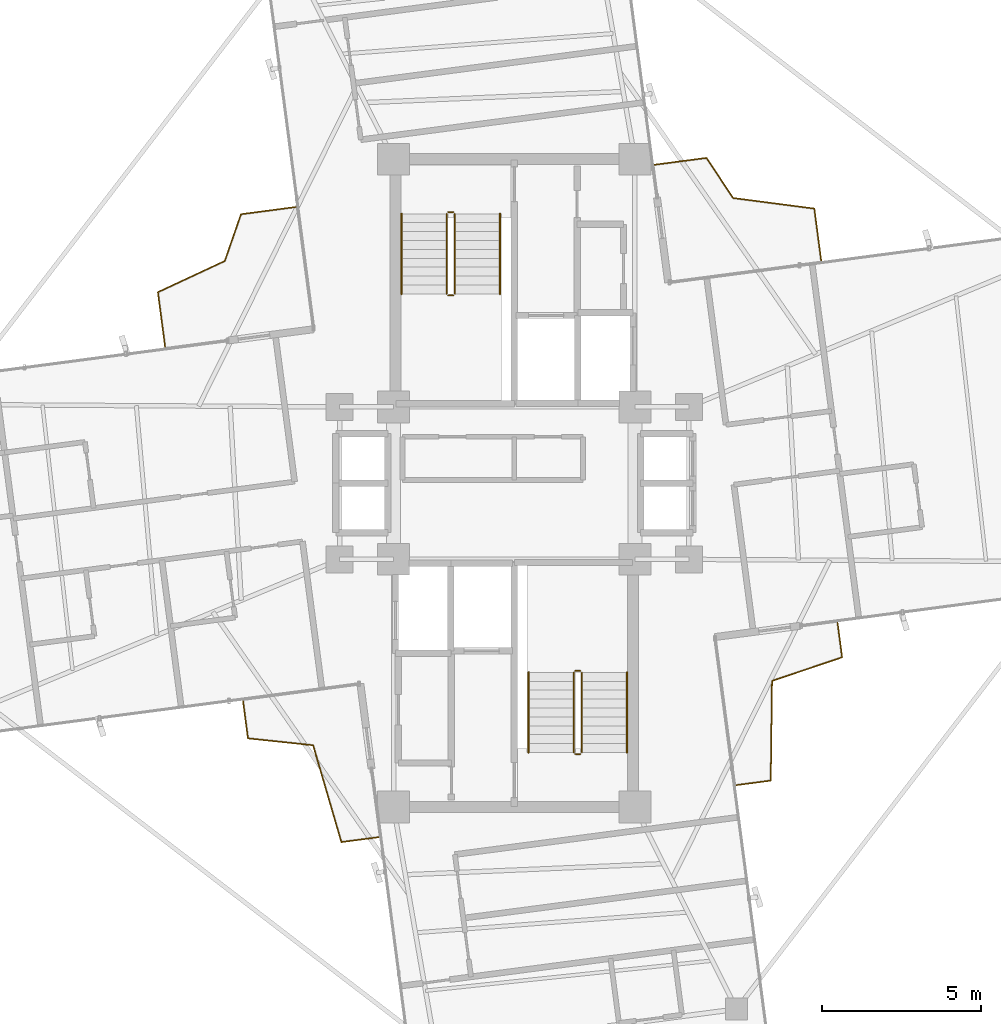
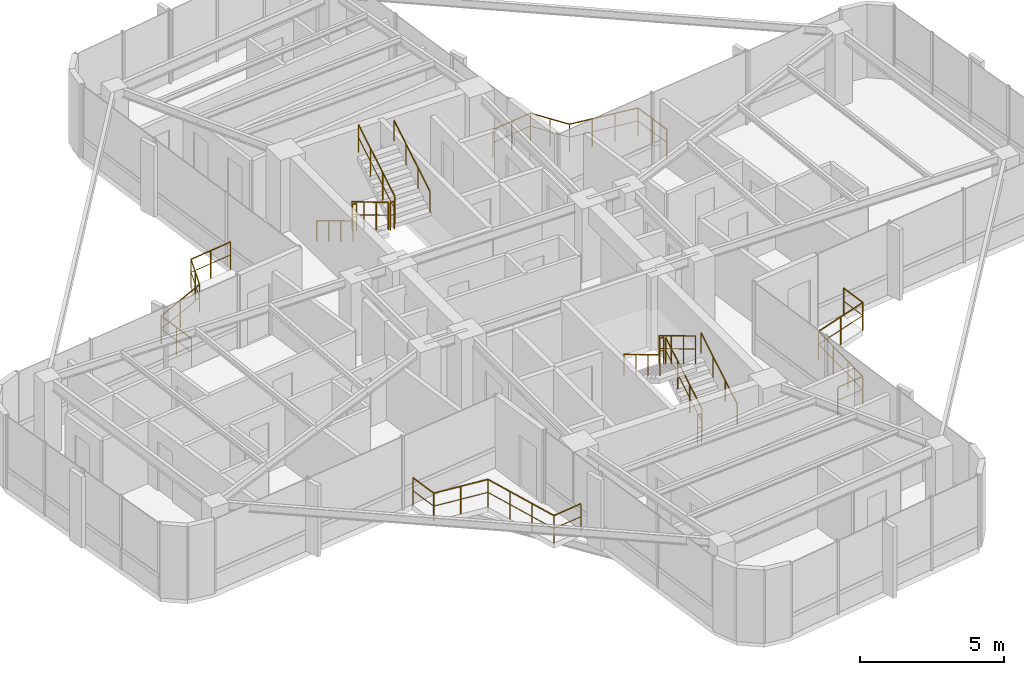
# One storey, part 22 of 22: 16 railings.
"""IFC4 building model written with IfcOpenShell, lengths in metres."""

from ifc_helpers import new_model, si_unit, direction, frame, origin, origin_2d, place, context, subcontext, project, spatial, circle, extrude, material, type_object, element, save


model = new_model("IFC4")

# Units and contexts
model_context = context("Model", 3, precision=1e-05, world=origin(), true_north=direction((0.0, 1.0)))
body_context = subcontext(model_context, "Body", "Model", "MODEL_VIEW")
ifc_project = project(units=[si_unit("LENGTHUNIT", "METRE"), si_unit("AREAUNIT", "SQUARE_METRE"), si_unit("VOLUMEUNIT", "CUBIC_METRE"), si_unit("PLANEANGLEUNIT", "RADIAN"), si_unit("MASSUNIT", "GRAM", prefix="KILO")], contexts=[model_context])

# Site, building, storey
site_placement = place(None, origin())
site = spatial("IfcSite", under=ifc_project, at=site_placement, CompositionType="ELEMENT")
building_placement = place(site_placement, origin())
building = spatial("IfcBuilding", under=site, at=building_placement, Name="Sahyath Konkavel Grand Hotel", CompositionType="ELEMENT")
storey_placement = place(building_placement, frame((0.0, 0.0, 234.449951171875)))
storey = spatial("IfcBuildingStorey", under=building, at=storey_placement, Name="L65", CompositionType="ELEMENT", Elevation=234.449951171875)

# Railings
ifc_material_1 = material(Name="Anodised Bronze Aluminium", Category="aluminium")
railing_type_1 = type_object("IfcRailingType", Name="RLG-BALC-1200", PredefinedType="GUARDRAIL", material=ifc_material_1)
railing_1_placement = place(storey_placement, frame((9.66259765625, 7.01025390625, 0.0)))
element("IfcRailing", 1, at=railing_1_placement, inside=storey, type_object=railing_type_1, Name="L65 Winter-Garden Guard NE", PredefinedType="GUARDRAIL", context=body_context, shape_type="SweptSolid", body=[
    extrude(circle(Radius=0.02392578125, at=origin_2d()), frame((-0.000244140625, 0.001953125, 1.17578125), z_axis=(-0.130466004798, 0.99145278334, 0.0), x_axis=(-0.99145278334, -0.130466004798, 0.0)), (0.0, 0.0, 1.0), 1.64453125),
    extrude(circle(Radius=0.01416015625, at=origin_2d()), frame((-0.000244140625, 0.001953125, 0.6240234375), z_axis=(-0.130466004798, 0.99145278334, 0.0), x_axis=(-0.99145278334, -0.130466004798, 0.0)), (0.0, 0.0, 1.0), 1.64453125),
    extrude(circle(Radius=0.02392578125, at=origin_2d()), frame((-0.217041015625, 1.634765625, 1.17578125), z_axis=(-0.991622558929, 0.129169271203, 0.0), x_axis=(-0.129169271203, -0.991622558929, 0.0)), (0.0, 0.0, 1.0), 2.575927734375),
    extrude(circle(Radius=0.01416015625, at=origin_2d()), frame((-0.217041015625, 1.634765625, 0.6240234375), z_axis=(-0.991622558929, 0.129169271203, 0.0), x_axis=(-0.129169271203, -0.991622558929, 0.0)), (0.0, 0.0, 1.0), 2.575927734375),
    extrude(circle(Radius=0.02392578125, at=origin_2d()), frame((-2.774658203125, 1.969482421875, 1.17578125), z_axis=(-0.552316927935, 0.833634219017, 0.0), x_axis=(-0.833634219017, -0.552316927935, 0.0)), (0.0, 0.0, 1.0), 1.510498046875),
    extrude(circle(Radius=0.01416015625, at=origin_2d()), frame((-2.774658203125, 1.969482421875, 0.6240234375), z_axis=(-0.552316927935, 0.833634219017, 0.0), x_axis=(-0.833634219017, -0.552316927935, 0.0)), (0.0, 0.0, 1.0), 1.510498046875),
    extrude(circle(Radius=0.02392578125, at=origin_2d()), frame((-3.61181640625, 3.22998046875, 1.17578125), z_axis=(-0.99145278334, -0.130466004798, 0.0), x_axis=(0.130466004798, -0.99145278334, 0.0)), (0.0, 0.0, 1.0), 1.64453125),
    extrude(circle(Radius=0.01416015625, at=origin_2d()), frame((-3.61181640625, 3.22998046875, 0.6240234375), z_axis=(-0.99145278334, -0.130466004798, 0.0), x_axis=(0.130466004798, -0.99145278334, 0.0)), (0.0, 0.0, 1.0), 1.64453125),
    extrude(circle(Radius=0.02099609375, at=origin_2d()), origin(), (0.0, 0.0, 1.0), 1.15185546875),
    extrude(circle(Radius=0.02099609375, at=origin_2d()), frame((-0.107421875, 0.8173828125, 0.0)), (0.0, 0.0, 1.0), 1.15185546875),
    extrude(circle(Radius=0.02099609375, at=origin_2d()), frame((-0.215087890625, 1.634521484375, 0.0)), (0.0, 0.0, 1.0), 1.15185546875),
    extrude(circle(Radius=0.02099609375, at=origin_2d()), frame((-1.06787109375, 1.74560546875, 0.0)), (0.0, 0.0, 1.0), 1.15185546875),
    extrude(circle(Radius=0.02099609375, at=origin_2d()), frame((-1.920654296875, 1.856689453125, 0.0)), (0.0, 0.0, 1.0), 1.15185546875),
    extrude(circle(Radius=0.02099609375, at=origin_2d()), frame((-2.7734375, 1.9677734375, 0.0)), (0.0, 0.0, 1.0), 1.15185546875),
    extrude(circle(Radius=0.02099609375, at=origin_2d()), frame((-3.191650390625, 2.59912109375, 0.0)), (0.0, 0.0, 1.0), 1.15185546875),
    extrude(circle(Radius=0.02099609375, at=origin_2d()), frame((-3.60986328125, 3.230224609375, 0.0)), (0.0, 0.0, 1.0), 1.15185546875),
    extrude(circle(Radius=0.02099609375, at=origin_2d()), frame((-4.42724609375, 3.12255859375, 0.0)), (0.0, 0.0, 1.0), 1.15185546875),
    extrude(circle(Radius=0.02099609375, at=origin_2d()), frame((-5.244384765625, 3.01513671875, 0.0)), (0.0, 0.0, 1.0), 1.15185546875),
])
railing_2_placement = place(storey_placement, frame((-6.8828125, 8.694091796875, 0.0)))
element("IfcRailing", 2, at=railing_2_placement, inside=storey, type_object=railing_type_1, Name="L65 Winter-Garden Guard NW", PredefinedType="GUARDRAIL", context=body_context, shape_type="SweptSolid", body=[
    extrude(circle(Radius=0.02392578125, at=origin_2d()), frame((-0.001953125, -0.000244140625, 1.17578125), z_axis=(-0.991431787245, -0.130625461686, 0.0), x_axis=(0.130625461686, -0.991431787245, 0.0)), (0.0, 0.0, 1.0), 1.732421875),
    extrude(circle(Radius=0.01416015625, at=origin_2d()), frame((-0.001953125, -0.000244140625, 0.6240234375), z_axis=(-0.991431787245, -0.130625461686, 0.0), x_axis=(0.130625461686, -0.991431787245, 0.0)), (0.0, 0.0, 1.0), 1.732421875),
    extrude(circle(Radius=0.02392578125, at=origin_2d()), frame((-1.72216796875, -0.228759765625, 1.17578125), z_axis=(-0.327573036044, -0.944825860176, 0.0), x_axis=(0.944825860176, -0.327573036044, 0.0)), (0.0, 0.0, 1.0), 1.55517578125),
    extrude(circle(Radius=0.01416015625, at=origin_2d()), frame((-1.72216796875, -0.228759765625, 0.6240234375), z_axis=(-0.327573036044, -0.944825860176, 0.0), x_axis=(0.944825860176, -0.327573036044, 0.0)), (0.0, 0.0, 1.0), 1.55517578125),
    extrude(circle(Radius=0.02392578125, at=origin_2d()), frame((-2.23388671875, -1.70068359375, 1.17578125), z_axis=(-0.906303905193, -0.422626586282, 0.0), x_axis=(0.422626586282, -0.906303905193, 0.0)), (0.0, 0.0, 1.0), 2.3193359375),
    extrude(circle(Radius=0.01416015625, at=origin_2d()), frame((-2.23388671875, -1.70068359375, 0.6240234375), z_axis=(-0.906303905193, -0.422626586282, 0.0), x_axis=(0.422626586282, -0.906303905193, 0.0)), (0.0, 0.0, 1.0), 2.3193359375),
    extrude(circle(Radius=0.02392578125, at=origin_2d()), frame((-4.337646484375, -2.683837890625, 1.17578125), z_axis=(0.130487248409, -0.991449987646, 0.0), x_axis=(0.991449987646, 0.130487248409, 0.0)), (0.0, 0.0, 1.0), 1.732177734375),
    extrude(circle(Radius=0.01416015625, at=origin_2d()), frame((-4.337646484375, -2.683837890625, 0.6240234375), z_axis=(0.130487248409, -0.991449987646, 0.0), x_axis=(0.991449987646, 0.130487248409, 0.0)), (0.0, 0.0, 1.0), 1.732177734375),
    extrude(circle(Radius=0.02099609375, at=origin_2d()), origin(), (0.0, 0.0, 1.0), 1.15185546875),
    extrude(circle(Radius=0.02099609375, at=origin_2d()), frame((-0.86083984375, -0.11328125, 0.0)), (0.0, 0.0, 1.0), 1.15185546875),
    extrude(circle(Radius=0.02099609375, at=origin_2d()), frame((-1.721435546875, -0.226806640625, 0.0)), (0.0, 0.0, 1.0), 1.15185546875),
    extrude(circle(Radius=0.02099609375, at=origin_2d()), frame((-1.976806640625, -0.96337890625, 0.0)), (0.0, 0.0, 1.0), 1.15185546875),
    extrude(circle(Radius=0.02099609375, at=origin_2d()), frame((-2.232177734375, -1.699951171875, 0.0)), (0.0, 0.0, 1.0), 1.15185546875),
    extrude(circle(Radius=0.02099609375, at=origin_2d()), frame((-3.28515625, -2.19091796875, 0.0)), (0.0, 0.0, 1.0), 1.15185546875),
    extrude(circle(Radius=0.02099609375, at=origin_2d()), frame((-4.337890625, -2.681884765625, 0.0)), (0.0, 0.0, 1.0), 1.15185546875),
    extrude(circle(Radius=0.02099609375, at=origin_2d()), frame((-4.224609375, -3.54248046875, 0.0)), (0.0, 0.0, 1.0), 1.15185546875),
    extrude(circle(Radius=0.02099609375, at=origin_2d()), frame((-4.111328125, -4.4033203125, 0.0)), (0.0, 0.0, 1.0), 1.15185546875),
])
railing_3_placement = place(storey_placement, frame((-8.540283203125, -6.862548828125, 0.0)))
element("IfcRailing", 3, at=railing_3_placement, inside=storey, type_object=railing_type_1, Name="L65 Winter-Garden Guard SW", PredefinedType="GUARDRAIL", context=body_context, shape_type="SweptSolid", body=[
    extrude(circle(Radius=0.02392578125, at=origin_2d()), frame((0.000244140625, -0.001953125, 1.17578125), z_axis=(0.130379801455, -0.991464123089, 0.0), x_axis=(0.991464123089, 0.130379801455, 0.0)), (0.0, 0.0, 1.0), 1.179443359375),
    extrude(circle(Radius=0.01416015625, at=origin_2d()), frame((0.000244140625, -0.001953125, 0.6240234375), z_axis=(0.130379801455, -0.991464123089, 0.0), x_axis=(0.991464123089, 0.130379801455, 0.0)), (0.0, 0.0, 1.0), 1.179443359375),
    extrude(circle(Radius=0.02392578125, at=origin_2d()), frame((0.15625, -1.173583984375, 1.17578125), z_axis=(0.994445675819, -0.105251118026, 0.0), x_axis=(0.105251118026, 0.994445675819, 0.0)), (0.0, 0.0, 1.0), 2.060546875),
    extrude(circle(Radius=0.01416015625, at=origin_2d()), frame((0.15625, -1.173583984375, 0.6240234375), z_axis=(0.994445675819, -0.105251118026, 0.0), x_axis=(0.105251118026, 0.994445675819, 0.0)), (0.0, 0.0, 1.0), 2.060546875),
    extrude(circle(Radius=0.02392578125, at=origin_2d()), frame((2.207763671875, -1.392578125, 1.17578125), z_axis=(0.279955723344, -0.960012912917, 0.0), x_axis=(0.960012912917, 0.279955723344, 0.0)), (0.0, 0.0, 1.0), 3.172119140625),
    extrude(circle(Radius=0.01416015625, at=origin_2d()), frame((2.207763671875, -1.392578125, 0.6240234375), z_axis=(0.279955723344, -0.960012912917, 0.0), x_axis=(0.960012912917, 0.279955723344, 0.0)), (0.0, 0.0, 1.0), 3.172119140625),
    extrude(circle(Radius=0.02392578125, at=origin_2d()), frame((3.098388671875, -4.439453125, 1.17578125), z_axis=(0.991437435676, 0.1305825836, 0.0), x_axis=(-0.1305825836, 0.991437435676, 0.0)), (0.0, 0.0, 1.0), 1.179443359375),
    extrude(circle(Radius=0.01416015625, at=origin_2d()), frame((3.098388671875, -4.439453125, 0.6240234375), z_axis=(0.991437435676, 0.1305825836, 0.0), x_axis=(-0.1305825836, 0.991437435676, 0.0)), (0.0, 0.0, 1.0), 1.179443359375),
    extrude(circle(Radius=0.02099609375, at=origin_2d()), origin(), (0.0, 0.0, 1.0), 1.15185546875),
    extrude(circle(Radius=0.02099609375, at=origin_2d()), frame((0.154296875, -1.17333984375, 0.0)), (0.0, 0.0, 1.0), 1.15185546875),
    extrude(circle(Radius=0.02099609375, at=origin_2d()), frame((1.1806640625, -1.281982421875, 0.0)), (0.0, 0.0, 1.0), 1.15185546875),
    extrude(circle(Radius=0.02099609375, at=origin_2d()), frame((2.207275390625, -1.390625, 0.0)), (0.0, 0.0, 1.0), 1.15185546875),
    extrude(circle(Radius=0.02099609375, at=origin_2d()), frame((2.503662109375, -2.406982421875, 0.0)), (0.0, 0.0, 1.0), 1.15185546875),
    extrude(circle(Radius=0.02099609375, at=origin_2d()), frame((2.800048828125, -3.42333984375, 0.0)), (0.0, 0.0, 1.0), 1.15185546875),
    extrude(circle(Radius=0.02099609375, at=origin_2d()), frame((3.096435546875, -4.439697265625, 0.0)), (0.0, 0.0, 1.0), 1.15185546875),
    extrude(circle(Radius=0.02099609375, at=origin_2d()), frame((4.269775390625, -4.28515625, 0.0)), (0.0, 0.0, 1.0), 1.15185546875),
])
railing_4_placement = place(storey_placement, frame((6.989990234375, -9.509033203125, 0.0)))
element("IfcRailing", 4, at=railing_4_placement, inside=storey, type_object=railing_type_1, Name="L65 Winter-Garden Guard SE", PredefinedType="GUARDRAIL", context=body_context, shape_type="SweptSolid", body=[
    extrude(circle(Radius=0.02392578125, at=origin_2d()), frame((0.001953125, 0.000244140625, 1.17578125), z_axis=(0.991436841367, 0.130587095761, 0.0), x_axis=(-0.130587095761, 0.991436841367, 0.0)), (0.0, 0.0, 1.0), 1.091552734375),
    extrude(circle(Radius=0.01416015625, at=origin_2d()), frame((0.001953125, 0.000244140625, 0.6240234375), z_axis=(0.991436841367, 0.130587095761, 0.0), x_axis=(-0.130587095761, 0.991436841367, 0.0)), (0.0, 0.0, 1.0), 1.091552734375),
    extrude(circle(Radius=0.02392578125, at=origin_2d()), frame((1.086181640625, 0.14501953125, 1.17578125), z_axis=(0.012757636017, 0.99991861805, 0.0), x_axis=(-0.99991861805, 0.012757636017, 0.0)), (0.0, 0.0, 1.0), 3.134521484375),
    extrude(circle(Radius=0.01416015625, at=origin_2d()), frame((1.086181640625, 0.14501953125, 0.6240234375), z_axis=(0.012757636017, 0.99991861805, 0.0), x_axis=(-0.99991861805, 0.012757636017, 0.0)), (0.0, 0.0, 1.0), 3.134521484375),
    extrude(circle(Radius=0.02392578125, at=origin_2d()), frame((1.128173828125, 3.281982421875, 1.17578125), z_axis=(0.947597490902, 0.319466735726, 0.0), x_axis=(-0.319466735726, 0.947597490902, 0.0)), (0.0, 0.0, 1.0), 2.32373046875),
    extrude(circle(Radius=0.01416015625, at=origin_2d()), frame((1.128173828125, 3.281982421875, 0.6240234375), z_axis=(0.947597490902, 0.319466735726, 0.0), x_axis=(-0.319466735726, 0.947597490902, 0.0)), (0.0, 0.0, 1.0), 2.32373046875),
    extrude(circle(Radius=0.02392578125, at=origin_2d()), frame((3.331787109375, 4.02685546875, 1.17578125), z_axis=(-0.130368041503, 0.991465669479, 0.0), x_axis=(-0.991465669479, -0.130368041503, 0.0)), (0.0, 0.0, 1.0), 1.091552734375),
    extrude(circle(Radius=0.01416015625, at=origin_2d()), frame((3.331787109375, 4.02685546875, 0.6240234375), z_axis=(-0.130368041503, 0.991465669479, 0.0), x_axis=(-0.991465669479, -0.130368041503, 0.0)), (0.0, 0.0, 1.0), 1.091552734375),
    extrude(circle(Radius=0.02099609375, at=origin_2d()), origin(), (0.0, 0.0, 1.0), 1.15185546875),
    extrude(circle(Radius=0.02099609375, at=origin_2d()), frame((1.086181640625, 0.14306640625, 0.0)), (0.0, 0.0, 1.0), 1.15185546875),
    extrude(circle(Radius=0.02099609375, at=origin_2d()), frame((1.099609375, 1.189208984375, 0.0)), (0.0, 0.0, 1.0), 1.15185546875),
    extrude(circle(Radius=0.02099609375, at=origin_2d()), frame((1.11279296875, 2.235107421875, 0.0)), (0.0, 0.0, 1.0), 1.15185546875),
    extrude(circle(Radius=0.02099609375, at=origin_2d()), frame((1.126220703125, 3.28125, 0.0)), (0.0, 0.0, 1.0), 1.15185546875),
    extrude(circle(Radius=0.02099609375, at=origin_2d()), frame((2.22900390625, 3.653076171875, 0.0)), (0.0, 0.0, 1.0), 1.15185546875),
    extrude(circle(Radius=0.02099609375, at=origin_2d()), frame((3.33203125, 4.02490234375, 0.0)), (0.0, 0.0, 1.0), 1.15185546875),
    extrude(circle(Radius=0.02099609375, at=origin_2d()), frame((3.189208984375, 5.111083984375, 0.0)), (0.0, 0.0, 1.0), 1.15185546875),
])
ifc_material_2 = material(Name="Steel E350", Category="steel")
railing_type_2 = type_object("IfcRailingType", Name="RLG-STAIR-GRD", PredefinedType="GUARDRAIL", material=ifc_material_2)
railing_5_placement = place(storey_placement, frame((-2.1298828125, 8.47998046875, 0.16748046875)))
element("IfcRailing", 5, at=railing_5_placement, inside=storey, type_object=railing_type_2, Name="L65 ST-1 stair guard 1", PredefinedType="GUARDRAIL", context=body_context, shape_type="SweptSolid", body=[
    extrude(circle(Radius=0.02392578125, at=origin_2d()), frame((0.0, -0.001708984375, 1.177001953125), z_axis=(0.0, -0.858159760407, 0.513382728203), x_axis=(1.0, 0.0, 0.0)), (0.0, 0.0, 1.0), 2.9326171875),
    extrude(circle(Radius=0.01416015625, at=origin_2d()), frame((0.0, -0.001708984375, 0.625), z_axis=(0.0, -0.858159760407, 0.513382728203), x_axis=(1.0, 0.0, 0.0)), (0.0, 0.0, 1.0), 2.9326171875),
    extrude(circle(Radius=0.02099609375, at=origin_2d()), origin(), (0.0, 0.0, 1.0), 1.15185546875),
    extrude(circle(Radius=0.02099609375, at=origin_2d()), frame((0.0, -0.840087890625, 0.50244140625)), (0.0, 0.0, 1.0), 1.15185546875),
    extrude(circle(Radius=0.02099609375, at=origin_2d()), frame((0.0, -1.679931640625, 1.005126953125)), (0.0, 0.0, 1.0), 1.15185546875),
    extrude(circle(Radius=0.02099609375, at=origin_2d()), frame((0.0, -2.52001953125, 1.507568359375)), (0.0, 0.0, 1.0), 1.15185546875),
])
railing_6_placement = place(storey_placement, frame((-2.080078125, 5.909912109375, 1.675048828125)))
element("IfcRailing", 6, at=railing_6_placement, inside=storey, type_object=railing_type_2, Name="L65 ST-1 stair guard 2", PredefinedType="GUARDRAIL", context=body_context, shape_type="SweptSolid", body=[
    extrude(circle(Radius=0.02392578125, at=origin_2d()), frame((0.001953125, 0.0, 1.17578125), z_axis=(1.0, 0.0, 0.0), x_axis=(0.0, 1.0, 0.0)), (0.0, 0.0, 1.0), 0.15625),
    extrude(circle(Radius=0.01416015625, at=origin_2d()), frame((0.001953125, 0.0, 0.6240234375), z_axis=(1.0, 0.0, 0.0), x_axis=(0.0, 1.0, 0.0)), (0.0, 0.0, 1.0), 0.15625),
    extrude(circle(Radius=0.02099609375, at=origin_2d()), origin(), (0.0, 0.0, 1.0), 1.15185546875),
    extrude(circle(Radius=0.02099609375, at=origin_2d()), frame((0.16015625, 0.0, 0.0)), (0.0, 0.0, 1.0), 1.15185546875),
])
railing_7_placement = place(storey_placement, frame((-1.8701171875, 5.9599609375, 1.842529296875)))
element("IfcRailing", 7, at=railing_7_placement, inside=storey, type_object=railing_type_2, Name="L65 ST-1 stair guard 3", PredefinedType="GUARDRAIL", context=body_context, shape_type="SweptSolid", body=[
    extrude(circle(Radius=0.02392578125, at=origin_2d()), frame((0.0, 0.001708984375, 1.177001953125), z_axis=(0.0, 0.858159760407, 0.513382728203), x_axis=(-1.0, 0.0, 0.0)), (0.0, 0.0, 1.0), 2.9326171875),
    extrude(circle(Radius=0.01416015625, at=origin_2d()), frame((0.0, 0.001708984375, 0.625), z_axis=(0.0, 0.858159760407, 0.513382728203), x_axis=(-1.0, 0.0, 0.0)), (0.0, 0.0, 1.0), 2.9326171875),
    extrude(circle(Radius=0.02099609375, at=origin_2d()), origin(), (0.0, 0.0, 1.0), 1.15185546875),
    extrude(circle(Radius=0.02099609375, at=origin_2d()), frame((0.0, 0.840087890625, 0.50244140625)), (0.0, 0.0, 1.0), 1.15185546875),
    extrude(circle(Radius=0.02099609375, at=origin_2d()), frame((0.0, 1.679931640625, 1.005126953125)), (0.0, 0.0, 1.0), 1.15185546875),
    extrude(circle(Radius=0.02099609375, at=origin_2d()), frame((0.0, 2.52001953125, 1.507568359375)), (0.0, 0.0, 1.0), 1.15185546875),
])
railing_8_placement = place(storey_placement, frame((-2.080078125, 8.530029296875, 0.0)))
element("IfcRailing", 8, at=railing_8_placement, inside=storey, type_object=railing_type_2, Name="L65 ST-1 stair guard 4", PredefinedType="GUARDRAIL", context=body_context, shape_type="SweptSolid", body=[
    extrude(circle(Radius=0.02392578125, at=origin_2d()), frame((0.001953125, 0.0, 1.17578125), z_axis=(1.0, 0.0, 0.0), x_axis=(0.0, 1.0, 0.0)), (0.0, 0.0, 1.0), 0.15625),
    extrude(circle(Radius=0.01416015625, at=origin_2d()), frame((0.001953125, 0.0, 0.6240234375), z_axis=(1.0, 0.0, 0.0), x_axis=(0.0, 1.0, 0.0)), (0.0, 0.0, 1.0), 0.15625),
    extrude(circle(Radius=0.02099609375, at=origin_2d()), origin(), (0.0, 0.0, 1.0), 1.15185546875),
    extrude(circle(Radius=0.02099609375, at=origin_2d()), frame((0.16015625, 0.0, 0.0)), (0.0, 0.0, 1.0), 1.15185546875),
])
railing_9_placement = place(storey_placement, frame((2.1298828125, -8.47998046875, 0.16748046875)))
element("IfcRailing", 9, at=railing_9_placement, inside=storey, type_object=railing_type_2, Name="L65 ST-2 stair guard 1", PredefinedType="GUARDRAIL", context=body_context, shape_type="SweptSolid", body=[
    extrude(circle(Radius=0.02392578125, at=origin_2d()), frame((0.0, 0.001708984375, 1.177001953125), z_axis=(0.0, 0.858159760407, 0.513382728203), x_axis=(-1.0, 0.0, 0.0)), (0.0, 0.0, 1.0), 2.9326171875),
    extrude(circle(Radius=0.01416015625, at=origin_2d()), frame((0.0, 0.001708984375, 0.625), z_axis=(0.0, 0.858159760407, 0.513382728203), x_axis=(-1.0, 0.0, 0.0)), (0.0, 0.0, 1.0), 2.9326171875),
    extrude(circle(Radius=0.02099609375, at=origin_2d()), origin(), (0.0, 0.0, 1.0), 1.15185546875),
    extrude(circle(Radius=0.02099609375, at=origin_2d()), frame((0.0, 0.840087890625, 0.50244140625)), (0.0, 0.0, 1.0), 1.15185546875),
    extrude(circle(Radius=0.02099609375, at=origin_2d()), frame((0.0, 1.679931640625, 1.005126953125)), (0.0, 0.0, 1.0), 1.15185546875),
    extrude(circle(Radius=0.02099609375, at=origin_2d()), frame((0.0, 2.52001953125, 1.507568359375)), (0.0, 0.0, 1.0), 1.15185546875),
])
railing_10_placement = place(storey_placement, frame((2.080078125, -5.909912109375, 1.675048828125)))
element("IfcRailing", 10, at=railing_10_placement, inside=storey, type_object=railing_type_2, Name="L65 ST-2 stair guard 2", PredefinedType="GUARDRAIL", context=body_context, shape_type="SweptSolid", body=[
    extrude(circle(Radius=0.02392578125, at=origin_2d()), frame((-0.001953125, 0.0, 1.17578125), z_axis=(-1.0, 0.0, 0.0), x_axis=(0.0, -1.0, 0.0)), (0.0, 0.0, 1.0), 0.15625),
    extrude(circle(Radius=0.01416015625, at=origin_2d()), frame((-0.001953125, 0.0, 0.6240234375), z_axis=(-1.0, 0.0, 0.0), x_axis=(0.0, -1.0, 0.0)), (0.0, 0.0, 1.0), 0.15625),
    extrude(circle(Radius=0.02099609375, at=origin_2d()), origin(), (0.0, 0.0, 1.0), 1.15185546875),
    extrude(circle(Radius=0.02099609375, at=origin_2d()), frame((-0.16015625, 0.0, 0.0)), (0.0, 0.0, 1.0), 1.15185546875),
])
railing_11_placement = place(storey_placement, frame((1.8701171875, -5.9599609375, 1.842529296875)))
element("IfcRailing", 11, at=railing_11_placement, inside=storey, type_object=railing_type_2, Name="L65 ST-2 stair guard 3", PredefinedType="GUARDRAIL", context=body_context, shape_type="SweptSolid", body=[
    extrude(circle(Radius=0.02392578125, at=origin_2d()), frame((0.0, -0.001708984375, 1.177001953125), z_axis=(0.0, -0.858159760407, 0.513382728203), x_axis=(1.0, 0.0, 0.0)), (0.0, 0.0, 1.0), 2.9326171875),
    extrude(circle(Radius=0.01416015625, at=origin_2d()), frame((0.0, -0.001708984375, 0.625), z_axis=(0.0, -0.858159760407, 0.513382728203), x_axis=(1.0, 0.0, 0.0)), (0.0, 0.0, 1.0), 2.9326171875),
    extrude(circle(Radius=0.02099609375, at=origin_2d()), origin(), (0.0, 0.0, 1.0), 1.15185546875),
    extrude(circle(Radius=0.02099609375, at=origin_2d()), frame((0.0, -0.840087890625, 0.50244140625)), (0.0, 0.0, 1.0), 1.15185546875),
    extrude(circle(Radius=0.02099609375, at=origin_2d()), frame((0.0, -1.679931640625, 1.005126953125)), (0.0, 0.0, 1.0), 1.15185546875),
    extrude(circle(Radius=0.02099609375, at=origin_2d()), frame((0.0, -2.52001953125, 1.507568359375)), (0.0, 0.0, 1.0), 1.15185546875),
])
railing_12_placement = place(storey_placement, frame((2.080078125, -8.530029296875, 0.0)))
element("IfcRailing", 12, at=railing_12_placement, inside=storey, type_object=railing_type_2, Name="L65 ST-2 stair guard 4", PredefinedType="GUARDRAIL", context=body_context, shape_type="SweptSolid", body=[
    extrude(circle(Radius=0.02392578125, at=origin_2d()), frame((-0.001953125, 0.0, 1.17578125), z_axis=(-1.0, 0.0, 0.0), x_axis=(0.0, -1.0, 0.0)), (0.0, 0.0, 1.0), 0.15625),
    extrude(circle(Radius=0.01416015625, at=origin_2d()), frame((-0.001953125, 0.0, 0.6240234375), z_axis=(-1.0, 0.0, 0.0), x_axis=(0.0, -1.0, 0.0)), (0.0, 0.0, 1.0), 0.15625),
    extrude(circle(Radius=0.02099609375, at=origin_2d()), origin(), (0.0, 0.0, 1.0), 1.15185546875),
    extrude(circle(Radius=0.02099609375, at=origin_2d()), frame((-0.16015625, 0.0, 0.0)), (0.0, 0.0, 1.0), 1.15185546875),
])
railing_type_3 = type_object("IfcRailingType", Name="RLG-STAIR-HND", PredefinedType="HANDRAIL", material=ifc_material_1)
railing_13_placement = place(storey_placement, frame((-3.550048828125, 8.47998046875, 0.16748046875)))
element("IfcRailing", 13, at=railing_13_placement, inside=storey, type_object=railing_type_3, Name="L65 ST-1 stair handrail 1", PredefinedType="HANDRAIL", context=body_context, shape_type="SweptSolid", body=[
    extrude(circle(Radius=0.02392578125, at=origin_2d()), frame((0.0, -0.001708984375, 0.876953125), z_axis=(0.0, -0.858159760407, 0.513382728203), x_axis=(1.0, 0.0, 0.0)), (0.0, 0.0, 1.0), 2.9326171875),
    extrude(circle(Radius=0.02099609375, at=origin_2d()), origin(), (0.0, 0.0, 1.0), 0.851806640625),
    extrude(circle(Radius=0.02099609375, at=origin_2d()), frame((0.0, -0.840087890625, 0.50244140625)), (0.0, 0.0, 1.0), 0.851806640625),
    extrude(circle(Radius=0.02099609375, at=origin_2d()), frame((0.0, -1.679931640625, 1.005126953125)), (0.0, 0.0, 1.0), 0.851806640625),
    extrude(circle(Radius=0.02099609375, at=origin_2d()), frame((0.0, -2.52001953125, 1.507568359375)), (0.0, 0.0, 1.0), 0.851806640625),
])
for number, where, name in (
    (14, (-0.449951171875, 5.9599609375, 1.842529296875), "L65 ST-1 stair handrail 2"),
    (15, (3.550048828125, -8.47998046875, 0.16748046875), "L65 ST-2 stair handrail 1"),
):
    element("IfcRailing", number, at=place(storey_placement, frame(where)), inside=storey, type_object=railing_type_3, Name=name, PredefinedType="HANDRAIL", context=body_context, shape_type="SweptSolid", body=[
        extrude(circle(Radius=0.02392578125, at=origin_2d()), frame((0.0, 0.001708984375, 0.876953125), z_axis=(0.0, 0.858159760407, 0.513382728203), x_axis=(-1.0, 0.0, 0.0)), (0.0, 0.0, 1.0), 2.9326171875),
        extrude(circle(Radius=0.02099609375, at=origin_2d()), origin(), (0.0, 0.0, 1.0), 0.851806640625),
        extrude(circle(Radius=0.02099609375, at=origin_2d()), frame((0.0, 0.840087890625, 0.50244140625)), (0.0, 0.0, 1.0), 0.851806640625),
        extrude(circle(Radius=0.02099609375, at=origin_2d()), frame((0.0, 1.679931640625, 1.005126953125)), (0.0, 0.0, 1.0), 0.851806640625),
        extrude(circle(Radius=0.02099609375, at=origin_2d()), frame((0.0, 2.52001953125, 1.507568359375)), (0.0, 0.0, 1.0), 0.851806640625),
    ])
railing_14_placement = place(storey_placement, frame((0.449951171875, -5.9599609375, 1.842529296875)))
element("IfcRailing", 16, at=railing_14_placement, inside=storey, type_object=railing_type_3, Name="L65 ST-2 stair handrail 2", PredefinedType="HANDRAIL", context=body_context, shape_type="SweptSolid", body=[
    extrude(circle(Radius=0.02392578125, at=origin_2d()), frame((0.0, -0.001708984375, 0.876953125), z_axis=(0.0, -0.858159760407, 0.513382728203), x_axis=(1.0, 0.0, 0.0)), (0.0, 0.0, 1.0), 2.9326171875),
    extrude(circle(Radius=0.02099609375, at=origin_2d()), origin(), (0.0, 0.0, 1.0), 0.851806640625),
    extrude(circle(Radius=0.02099609375, at=origin_2d()), frame((0.0, -0.840087890625, 0.50244140625)), (0.0, 0.0, 1.0), 0.851806640625),
    extrude(circle(Radius=0.02099609375, at=origin_2d()), frame((0.0, -1.679931640625, 1.005126953125)), (0.0, 0.0, 1.0), 0.851806640625),
    extrude(circle(Radius=0.02099609375, at=origin_2d()), frame((0.0, -2.52001953125, 1.507568359375)), (0.0, 0.0, 1.0), 0.851806640625),
])

save(model, "model.ifc")
